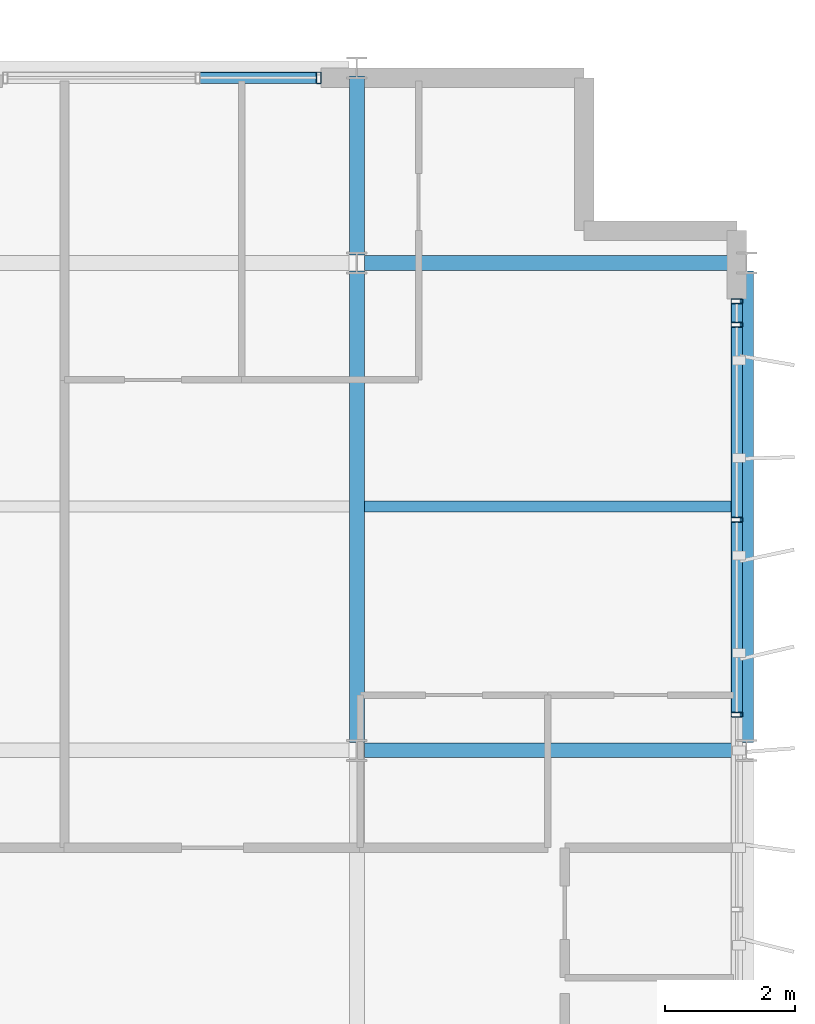
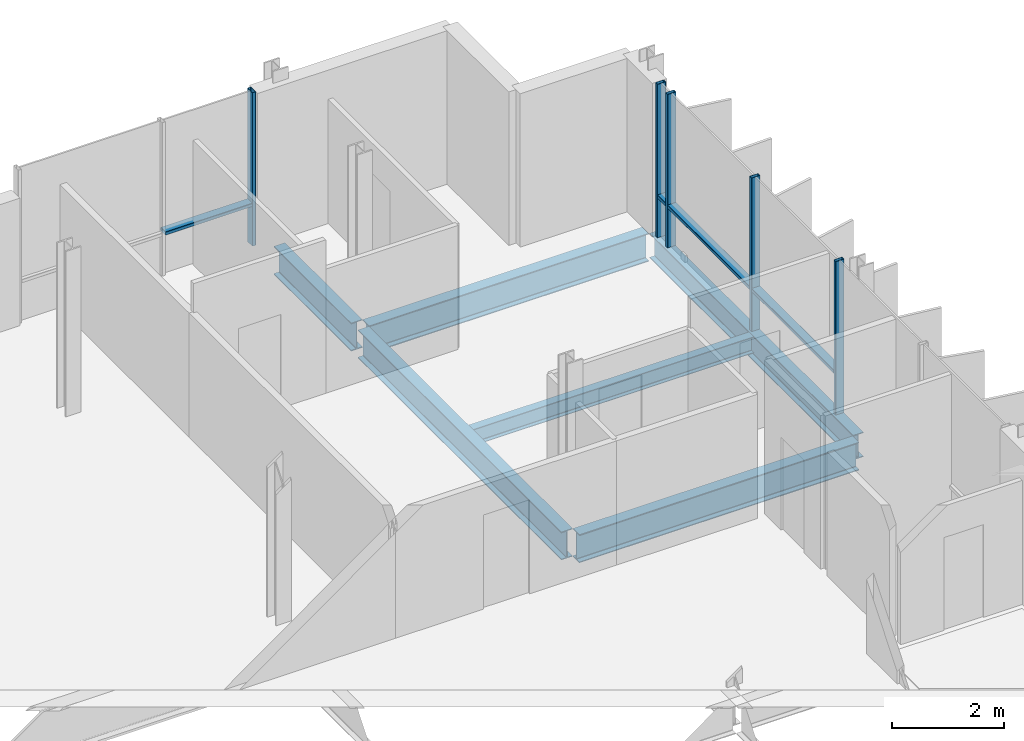
# One storey, part 9 of 18: 9 members, 6 beams, 2 elements without a shape of their own.
"""IFC4 building model written with IfcOpenShell, lengths in metres."""

from ifc_helpers import new_model, si_unit, direction, frame, origin, origin_2d, place, context, subcontext, project, spatial, hollow_rectangle, i_section, extrude, material, layer, layer_set, material_profile, profile_set, type_object, element, aggregate, save


model = new_model("IFC4")

# Units and contexts
model_context = context("Model", 3, precision=1e-05, world=origin(), true_north=direction((0.0, 1.0)))
body_context = subcontext(model_context, "Body", "Model", "MODEL_VIEW")
ifc_project = project(units=[si_unit("LENGTHUNIT", "METRE"), si_unit("AREAUNIT", "SQUARE_METRE"), si_unit("VOLUMEUNIT", "CUBIC_METRE"), si_unit("PLANEANGLEUNIT", "RADIAN"), si_unit("MASSUNIT", "GRAM", prefix="KILO")], contexts=[model_context])

# Site, building, storey
site_placement = place(None, origin())
site = spatial("IfcSite", under=ifc_project, at=site_placement, CompositionType="ELEMENT")
building_placement = place(site_placement, origin())
building = spatial("IfcBuilding", under=site, at=building_placement, Name="Brevholm Reach", CompositionType="ELEMENT")
storey_placement = place(building_placement, frame((0.0, 0.0, 243.64990234375)))
storey = spatial("IfcBuildingStorey", under=building, at=storey_placement, Name="L74", CompositionType="ELEMENT", Elevation=243.64990234375)

# Beams
ifc_material_1 = material(Name="Structural Steel S355J2", Category="steel")
ifc_material_profile_1 = material_profile(ifc_material_1, i_section(OverallWidth=0.17138671875, OverallDepth=0.35498046875, WebThickness=0.00732421875, FlangeThickness=0.011474609375, FilletRadius=0.01025390625, at=origin_2d()), Name="UKB 356x171x51")
ifc_profile_set_1 = profile_set([ifc_material_profile_1], Name="Structural Steel S355J2")
beam_type_1 = type_object("IfcBeamType", Name="BM-B356", PredefinedType="BEAM", material=ifc_profile_set_1)
beam_1_placement = place(storey_placement, frame((54.114501953125, 19.75, -0.427490234375), z_axis=(1.0, 0.0, 0.0), x_axis=(0.0, 1.0, 0.0)))
element("IfcBeam", 1, at=beam_1_placement, inside=storey, type_object=beam_type_1, Name="L74 Composite Secondary Floor Beam", PredefinedType="BEAM", context=body_context, shape_type="SweptSolid", body=[
    extrude(i_section(OverallWidth=0.17138671875, OverallDepth=0.35498046875, WebThickness=0.00732421875, FlangeThickness=0.011474609375, FilletRadius=0.01025390625, at=origin_2d()), origin(), (0.0, 0.0, 1.0), 5.780029296875),
])
ifc_material_2 = material(Name="Structural Steel S355J2", Category="steel")
ifc_material_profile_2 = material_profile(ifc_material_2, i_section(OverallWidth=0.210693359375, OverallDepth=0.53955078125, WebThickness=0.01171875, FlangeThickness=0.018798828125, FilletRadius=0.0126953125, at=origin_2d()), Name="UKB 533x210x109")
ifc_profile_set_2 = profile_set([ifc_material_profile_2], Name="Structural Steel S355J2")
beam_type_2 = type_object("IfcBeamType", Name="BM-SP539", PredefinedType="SPANDREL", material=ifc_profile_set_2)
beam_2_placement = place(storey_placement, frame((60.0, 16.1201171875, -0.51953125), z_axis=(0.0, 1.0, 0.0), x_axis=(-1.0, 0.0, 0.0)))
element("IfcBeam", 2, at=beam_2_placement, inside=storey, type_object=beam_type_2, Name="L74 SP-01B Framing Beam", PredefinedType="SPANDREL", context=body_context, shape_type="SweptSolid", body=[
    extrude(i_section(OverallWidth=0.210693359375, OverallDepth=0.53955078125, WebThickness=0.01171875, FlangeThickness=0.018798828125, FilletRadius=0.0126953125, at=origin_2d()), origin(), (0.0, 0.0, 1.0), 7.259765625),
])
ifc_material_3 = material(Name="Structural Steel S355J2", Category="steel")
ifc_material_profile_3 = material_profile(ifc_material_3, i_section(OverallWidth=0.22900390625, OverallDepth=0.6123046875, WebThickness=0.011962890625, FlangeThickness=0.01953125, FilletRadius=0.0126953125, at=origin_2d()), Name="UKB 610x229x125")
ifc_profile_set_3 = profile_set([ifc_material_profile_3], Name="Structural Steel S355J2")
beam_type_3 = type_object("IfcBeamType", Name="BM-SP610", PredefinedType="SPANDREL", material=ifc_profile_set_3)
for number, where, z_axis, x_axis, name in (
    (3, (54.1201171875, 16.0, -0.555908203125), (1.0, 0.0, 0.0), (0.0, 1.0, 0.0), "L74 SP-01 Framing Beam"),
    (4, (54.1201171875, 23.5, -0.555908203125), (1.0, 0.0, 0.0), (0.0, 1.0, 0.0), "L74 SP-01 Framing Beam"),
):
    element("IfcBeam", number, at=place(storey_placement, frame(where, z_axis=z_axis, x_axis=x_axis)), inside=storey, type_object=beam_type_3, Name=name, PredefinedType="SPANDREL", context=body_context, shape_type="SweptSolid", body=[
        extrude(i_section(OverallWidth=0.22900390625, OverallDepth=0.6123046875, WebThickness=0.011962890625, FlangeThickness=0.01953125, FilletRadius=0.0126953125, at=origin_2d()), origin(), (0.0, 0.0, 1.0), 5.759765625),
    ])
beam_3_placement = place(storey_placement, frame((54.0, 16.1201171875, -0.555908203125), z_axis=(0.0, 1.0, 0.0), x_axis=(-1.0, 0.0, 0.0)))
element("IfcBeam", 5, at=beam_3_placement, inside=storey, type_object=beam_type_3, Name="L74 SP-01 Framing Beam", PredefinedType="SPANDREL", context=body_context, shape_type="SweptSolid", body=[
    extrude(i_section(OverallWidth=0.22900390625, OverallDepth=0.6123046875, WebThickness=0.011962890625, FlangeThickness=0.01953125, FilletRadius=0.0126953125, at=origin_2d()), origin(), (0.0, 0.0, 1.0), 7.259765625),
])
beam_4_placement = place(storey_placement, frame((54.0, 23.6201171875, -0.555908203125), z_axis=(0.0, 1.0, 0.0), x_axis=(-1.0, 0.0, 0.0)))
element("IfcBeam", 6, at=beam_4_placement, inside=storey, type_object=beam_type_3, Name="L74 SP-01 Framing Beam", PredefinedType="SPANDREL", context=body_context, shape_type="SweptSolid", body=[
    extrude(i_section(OverallWidth=0.22900390625, OverallDepth=0.6123046875, WebThickness=0.011962890625, FlangeThickness=0.01953125, FilletRadius=0.0126953125, at=origin_2d()), origin(), (0.0, 0.0, 1.0), 2.759765625),
])

# Curtain wall, members
ifc_material_4 = material(Name="Dark Anodised Aluminium 6063-T6 and Solar-Control Glass", Category="aluminium")
ifc_layer = layer(ifc_material_4, 0.179931640625)
ifc_layer_set = layer_set([ifc_layer], Name="Dark Anodised Aluminium 6063-T6 and Solar-Control Glass")
curtain_wall_type = type_object("IfcCurtainWallType", Name="CW-05", PredefinedType="NOTDEFINED", material=ifc_layer_set)
curtain_wall_1_placement = place(storey_placement, origin())
curtain_wall_1 = element("IfcCurtainWall", 7, at=curtain_wall_1_placement, inside=storey, type_object=curtain_wall_type, Name="L74 Curtain Wall CW-05", PredefinedType="NOTDEFINED")
ifc_material_5 = material(Name="Dark Anodised Aluminium 6063-T6", Category="aluminium")
ifc_material_profile_4 = material_profile(ifc_material_5, hollow_rectangle(XDim=0.074951171875, YDim=0.179931640625, WallThickness=0.006103515625, InnerFilletRadius=0.006103515625, OuterFilletRadius=0.011962890625, at=origin_2d()), Name="RHS 180x75x6")
ifc_profile_set_4 = profile_set([ifc_material_profile_4], Name="Dark Anodised Aluminium 6063-T6")
member_type_1 = type_object("IfcMemberType", Name="CWM-180", PredefinedType="MULLION", material=ifc_profile_set_4)
member_1_placement = place(storey_placement, frame((59.85009765625, 16.550048828125, 0.0), z_axis=(0.0, 0.0, 1.0), x_axis=(0.0, 1.0, 0.0)))
member_1 = element("IfcMember", 8, at=member_1_placement, type_object=member_type_1, Name="CM-180 Mullion 3", PredefinedType="MULLION", context=body_context, shape_type="SweptSolid", body=[
    extrude(hollow_rectangle(XDim=0.074951171875, YDim=0.179931640625, WallThickness=0.006103515625, InnerFilletRadius=0.006103515625, OuterFilletRadius=0.011962890625, at=origin_2d()), origin(), (0.0, 0.0, 1.0), 3.340087890625),
])
member_2_placement = place(storey_placement, frame((59.85009765625, 19.550048828125, 0.0), z_axis=(0.0, 0.0, 1.0), x_axis=(0.0, 1.0, 0.0)))
member_2 = element("IfcMember", 9, at=member_2_placement, type_object=member_type_1, Name="CM-180 Mullion 4", PredefinedType="MULLION", context=body_context, shape_type="SweptSolid", body=[
    extrude(hollow_rectangle(XDim=0.074951171875, YDim=0.179931640625, WallThickness=0.006103515625, InnerFilletRadius=0.006103515625, OuterFilletRadius=0.011962890625, at=origin_2d()), origin(), (0.0, 0.0, 1.0), 3.340087890625),
])
member_3_placement = place(storey_placement, frame((59.85009765625, 22.550048828125, 0.0), z_axis=(0.0, 0.0, 1.0), x_axis=(0.0, 1.0, 0.0)))
member_3 = element("IfcMember", 10, at=member_3_placement, type_object=member_type_1, Name="CM-180 Mullion 5", PredefinedType="MULLION", context=body_context, shape_type="SweptSolid", body=[
    extrude(hollow_rectangle(XDim=0.074951171875, YDim=0.179931640625, WallThickness=0.006103515625, InnerFilletRadius=0.006103515625, OuterFilletRadius=0.011962890625, at=origin_2d()), origin(), (0.0, 0.0, 1.0), 3.340087890625),
])
member_4_placement = place(storey_placement, frame((59.85009765625, 22.91259765625, 0.0), z_axis=(0.0, 0.0, 1.0), x_axis=(0.0, 1.0, 0.0)))
member_4 = element("IfcMember", 11, at=member_4_placement, type_object=member_type_1, Name="CM-180 Mullion 6", PredefinedType="MULLION", context=body_context, shape_type="SweptSolid", body=[
    extrude(hollow_rectangle(XDim=0.074951171875, YDim=0.179931640625, WallThickness=0.006103515625, InnerFilletRadius=0.006103515625, OuterFilletRadius=0.011962890625, at=origin_2d()), origin(), (0.0, 0.0, 1.0), 3.340087890625),
])

# Curtain wall, member
curtain_wall_2_placement = place(storey_placement, origin())
curtain_wall_2 = element("IfcCurtainWall", 12, at=curtain_wall_2_placement, inside=storey, type_object=curtain_wall_type, Name="L74 Curtain Wall CW-05", PredefinedType="NOTDEFINED")
member_5_placement = place(storey_placement, frame((53.41259765625, 26.35009765625, 0.0), z_axis=(0.0, 0.0, 1.0), x_axis=(1.0, 0.0, 0.0)))
member_5 = element("IfcMember", 13, at=member_5_placement, type_object=member_type_1, Name="CM-180 Mullion 3", PredefinedType="MULLION", context=body_context, shape_type="SweptSolid", body=[
    extrude(hollow_rectangle(XDim=0.074951171875, YDim=0.179931640625, WallThickness=0.006103515625, InnerFilletRadius=0.006103515625, OuterFilletRadius=0.011962890625, at=origin_2d()), origin(), (0.0, 0.0, 1.0), 3.340087890625),
])

# Member
ifc_material_6 = material(Name="Dark Anodised Aluminium 6063-T6", Category="aluminium")
ifc_material_profile_5 = material_profile(ifc_material_6, hollow_rectangle(XDim=0.074951171875, YDim=0.179931640625, WallThickness=0.006103515625, InnerFilletRadius=0.006103515625, OuterFilletRadius=0.011962890625, at=origin_2d()), Name="RHS 180x75x6")
ifc_profile_set_5 = profile_set([ifc_material_profile_5], Name="Dark Anodised Aluminium 6063-T6")
member_type_2 = type_object("IfcMemberType", Name="CWT-180", PredefinedType="NOTDEFINED", material=ifc_profile_set_5)
member_6_placement = place(storey_placement, frame((59.85009765625, 16.58740234375, 0.900146484375), z_axis=(0.0, 1.0, 0.0), x_axis=(0.0, 0.0, 1.0)))
member_6 = element("IfcMember", 14, at=member_6_placement, type_object=member_type_2, Name="CT-180 Transom 3.1", ObjectType="TRANSOM", PredefinedType="USERDEFINED", context=body_context, shape_type="SweptSolid", body=[
    extrude(hollow_rectangle(XDim=0.074951171875, YDim=0.179931640625, WallThickness=0.006103515625, InnerFilletRadius=0.006103515625, OuterFilletRadius=0.011962890625, at=origin_2d()), origin(), (0.0, 0.0, 1.0), 2.925048828125),
])

member_7_placement = place(storey_placement, frame((59.85009765625, 19.58740234375, 0.900146484375), z_axis=(0.0, 1.0, 0.0), x_axis=(0.0, 0.0, 1.0)))
member_7 = element("IfcMember", 15, at=member_7_placement, type_object=member_type_2, Name="CT-180 Transom 4.1", ObjectType="TRANSOM", PredefinedType="USERDEFINED", context=body_context, shape_type="SweptSolid", body=[
    extrude(hollow_rectangle(XDim=0.074951171875, YDim=0.179931640625, WallThickness=0.006103515625, InnerFilletRadius=0.006103515625, OuterFilletRadius=0.011962890625, at=origin_2d()), origin(), (0.0, 0.0, 1.0), 2.925048828125),
])

member_8_placement = place(storey_placement, frame((59.85009765625, 22.58740234375, 0.900146484375), z_axis=(0.0, 1.0, 0.0), x_axis=(0.0, 0.0, 1.0)))
member_8 = element("IfcMember", 16, at=member_8_placement, type_object=member_type_2, Name="CT-180 Transom 5.1", ObjectType="TRANSOM", PredefinedType="USERDEFINED", context=body_context, shape_type="SweptSolid", body=[
    extrude(hollow_rectangle(XDim=0.074951171875, YDim=0.179931640625, WallThickness=0.006103515625, InnerFilletRadius=0.006103515625, OuterFilletRadius=0.011962890625, at=origin_2d()), origin(), (0.0, 0.0, 1.0), 0.28759765625),
])

aggregate(curtain_wall_1, [member_1, member_2, member_3, member_4, member_6, member_7, member_8])

member_9_placement = place(storey_placement, frame((51.58740234375, 26.35009765625, 0.900146484375), z_axis=(1.0, 0.0, 0.0), x_axis=(0.0, 0.0, 1.0)))
member_9 = element("IfcMember", 17, at=member_9_placement, type_object=member_type_2, Name="CT-180 Transom 2.1", ObjectType="TRANSOM", PredefinedType="USERDEFINED", context=body_context, shape_type="SweptSolid", body=[
    extrude(hollow_rectangle(XDim=0.074951171875, YDim=0.179931640625, WallThickness=0.006103515625, InnerFilletRadius=0.006103515625, OuterFilletRadius=0.011962890625, at=origin_2d()), origin(), (0.0, 0.0, 1.0), 1.78759765625),
])

aggregate(curtain_wall_2, [member_5, member_9])

save(model, "model.ifc")
